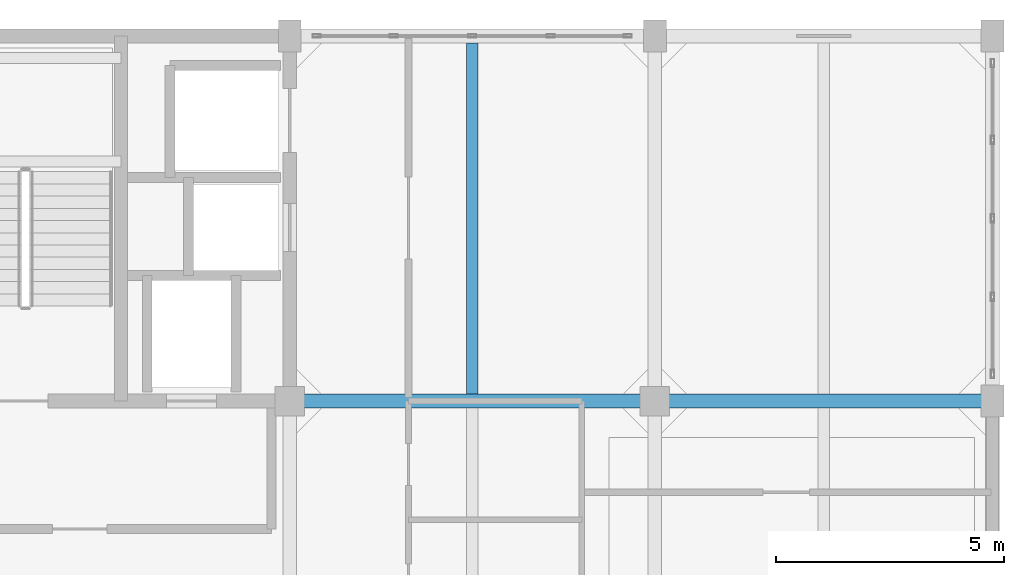
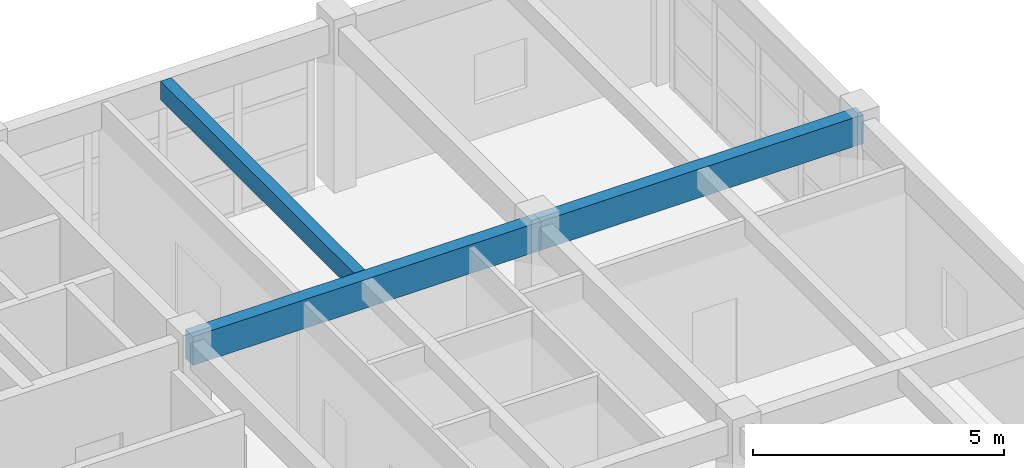
# One storey, part 8 of 16: 3 beams.
"""IFC4 building model written with IfcOpenShell, lengths in metres."""

from ifc_helpers import new_model, si_unit, direction, frame, origin, origin_2d, place, context, subcontext, project, spatial, rectangle, extrude, material, material_profile, profile_set, type_object, element, save


model = new_model("IFC4")

# Units and contexts
model_context = context("Model", 3, precision=1e-05, world=origin(), true_north=direction((0.0, 1.0)))
body_context = subcontext(model_context, "Body", "Model", "MODEL_VIEW")
ifc_project = project(units=[si_unit("LENGTHUNIT", "METRE"), si_unit("AREAUNIT", "SQUARE_METRE"), si_unit("VOLUMEUNIT", "CUBIC_METRE"), si_unit("PLANEANGLEUNIT", "RADIAN"), si_unit("MASSUNIT", "GRAM", prefix="KILO")], contexts=[model_context])

# Site, building, storey
site_placement = place(None, origin())
site = spatial("IfcSite", under=ifc_project, at=site_placement, CompositionType="ELEMENT")
building_placement = place(site_placement, origin())
building = spatial("IfcBuilding", under=site, at=building_placement, Name="Canggui Botanical Conservatory", CompositionType="ELEMENT")
storey_placement = place(building_placement, frame((0.0, 0.0, 65.39990234375)))
storey = spatial("IfcBuildingStorey", under=building, at=storey_placement, Name="L16", CompositionType="ELEMENT", Elevation=65.39990234375)

# Beams
ifc_material = material(Name="Concrete C35", Category="concrete")
ifc_material_profile_1 = material_profile(ifc_material, rectangle(XDim=0.25, YDim=0.449951171875, at=origin_2d()), Name="RB 250x450")
ifc_profile_set_1 = profile_set([ifc_material_profile_1], Name="Concrete C35")
beam_type_1 = type_object("IfcBeamType", Name="BM-JST05", PredefinedType="JOIST", material=ifc_profile_set_1)
beam_1_placement = place(storey_placement, frame((166.0, 58.155029296875, 3.735107421875), z_axis=(0.0, 1.0, 0.0), x_axis=(-1.0, 0.0, 0.0)))
element("IfcBeam", 1, at=beam_1_placement, inside=storey, type_object=beam_type_1, Name="Secondary Floor Joist L16-3-3", PredefinedType="JOIST", context=body_context, shape_type="SweptSolid", body=[
    extrude(rectangle(XDim=0.25, YDim=0.449951171875, at=origin_2d()), origin(), (0.0, 0.0, 1.0), 7.68994140625),
])
ifc_material_profile_2 = material_profile(ifc_material, rectangle(XDim=0.300048828125, YDim=0.699951171875, at=origin_2d()), Name="RB 300x700")
ifc_profile_set_2 = profile_set([ifc_material_profile_2], Name="Concrete C35")
beam_type_2 = type_object("IfcBeamType", Name="BM-KL21", PredefinedType="BEAM", material=ifc_profile_set_2)
beam_2_placement = place(storey_placement, frame((162.0, 58.0, 3.610107421875), z_axis=(1.0, 0.0, 0.0), x_axis=(0.0, 1.0, 0.0)))
element("IfcBeam", 2, at=beam_2_placement, inside=storey, type_object=beam_type_2, Name="Frame Girder L16 Y58-3", PredefinedType="BEAM", context=body_context, shape_type="SweptSolid", body=[
    extrude(rectangle(XDim=0.300048828125, YDim=0.699951171875, at=origin_2d()), origin(), (0.0, 0.0, 1.0), 8.0),
])
beam_3_placement = place(storey_placement, frame((170.0, 58.0, 3.610107421875), z_axis=(1.0, 0.0, 0.0), x_axis=(0.0, 1.0, 0.0)))
element("IfcBeam", 3, at=beam_3_placement, inside=storey, type_object=beam_type_2, Name="Frame Girder L16 Y58-4", PredefinedType="BEAM", context=body_context, shape_type="SweptSolid", body=[
    extrude(rectangle(XDim=0.300048828125, YDim=0.699951171875, at=origin_2d()), origin(), (0.0, 0.0, 1.0), 7.39990234375),
])

save(model, "model.ifc")
